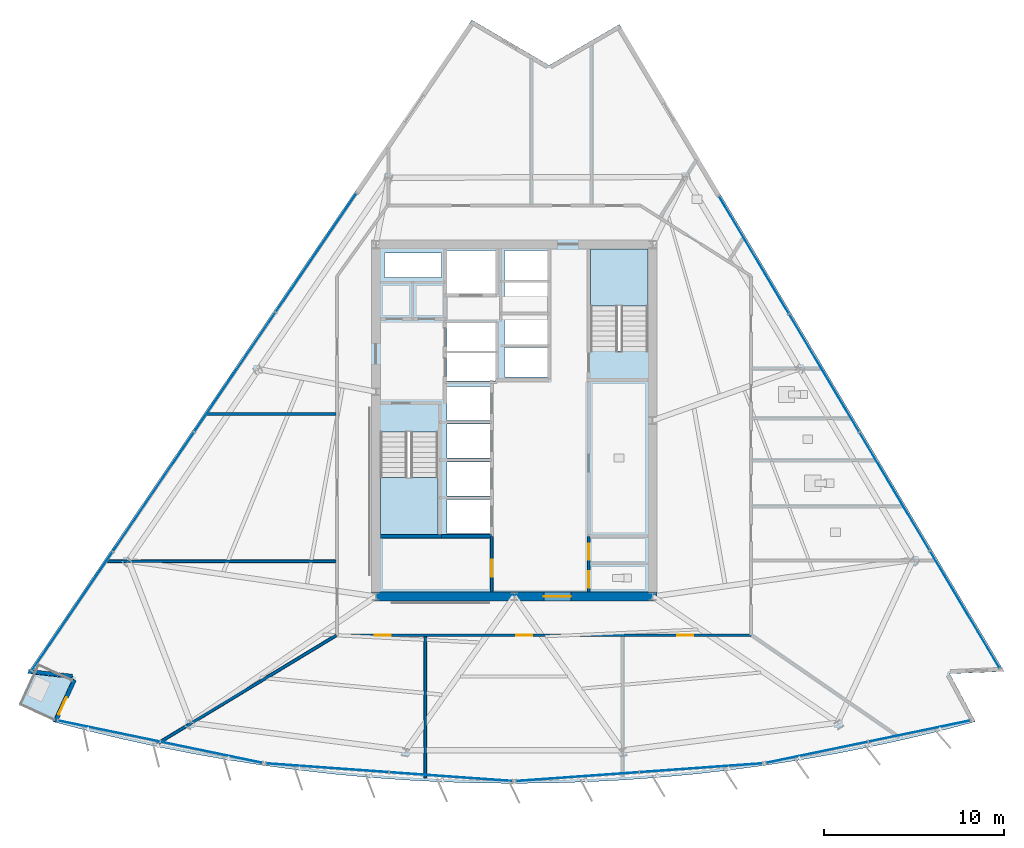
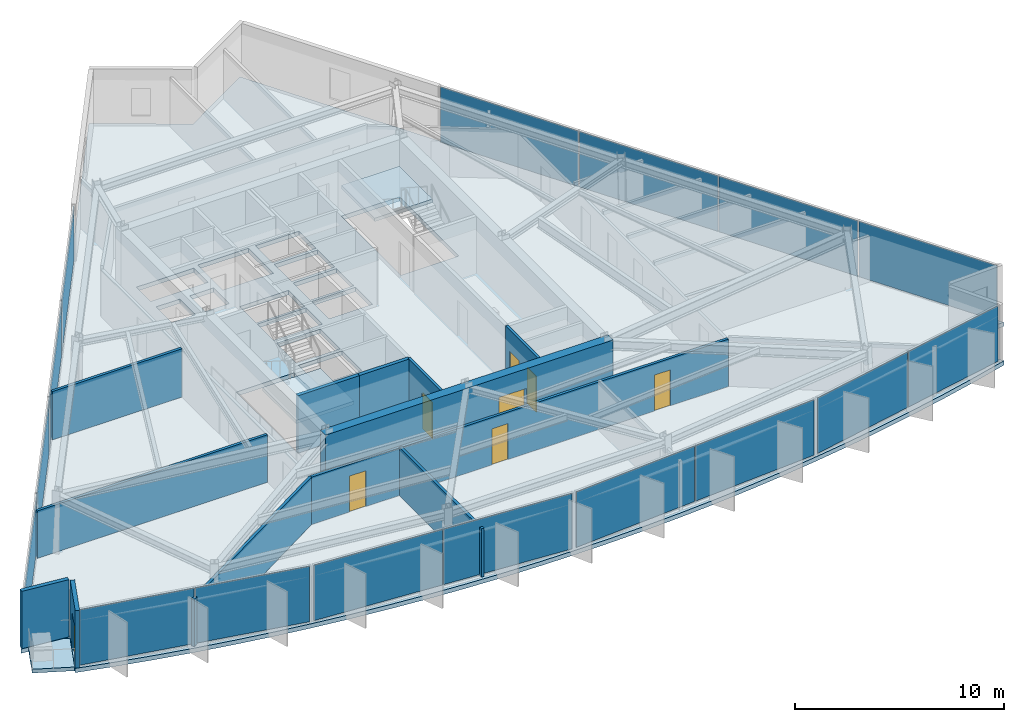
# One storey, part 7 of 15: 16 plates, 12 walls, 8 doors, 4 slabs, 8 openings, 8 elements without a shape of their own.
"""IFC4 building model written with IfcOpenShell, lengths in metres."""

from ifc_helpers import new_model, si_unit, direction, frame, frame_2d, origin, origin_2d, place, context, subcontext, project, spatial, polyline, rectangle, outline, extrude, material, layer, layer_set, type_object, element, fill, aggregate, save


model = new_model("IFC4")

# Units and contexts
model_context = context("Model", 3, precision=1e-05, world=origin(), true_north=direction((0.0, 1.0)))
body_context = subcontext(model_context, "Body", "Model", "MODEL_VIEW")
ifc_project = project(units=[si_unit("LENGTHUNIT", "METRE"), si_unit("AREAUNIT", "SQUARE_METRE"), si_unit("VOLUMEUNIT", "CUBIC_METRE"), si_unit("PLANEANGLEUNIT", "RADIAN"), si_unit("MASSUNIT", "GRAM", prefix="KILO")], contexts=[model_context])

# Site, building, storey
site_placement = place(None, origin())
site = spatial("IfcSite", under=ifc_project, at=site_placement, CompositionType="ELEMENT")
building_placement = place(site_placement, origin())
building = spatial("IfcBuilding", under=site, at=building_placement, Name="Savorim Split Tower", CompositionType="ELEMENT")
storey_placement = place(building_placement, frame((0.0, 0.0, 142.199951171875)))
storey = spatial("IfcBuildingStorey", under=building, at=storey_placement, Name="L37", CompositionType="ELEMENT", Elevation=142.199951171875)

# Curtain wall, plates
ifc_material_1 = material(Name="Dark Ceramic-Fritted Insulated Glass", Category="glass")
curtain_wall_type = type_object("IfcCurtainWallType", Name="CW-TWR-FRIT-A", PredefinedType="NOTDEFINED", material=ifc_material_1)
curtain_wall_1_placement = place(storey_placement, origin())
curtain_wall_1 = element("IfcCurtainWall", 1, at=curtain_wall_1_placement, inside=storey, type_object=curtain_wall_type, Name="L37 Curtain Wall CW-L37-SF1", PredefinedType="NOTDEFINED")
ifc_layer_1 = layer(ifc_material_1, 0.028076171875)
ifc_layer_set_1 = layer_set([ifc_layer_1], Name="CWP-FRITA-28")
plate_type = type_object("IfcPlateType", Name="CWP-FRITA-28", PredefinedType="CURTAIN_PANEL", material=ifc_layer_set_1)
plate_1_placement = place(storey_placement, frame((-22.55322265625, -16.891357421875, 0.05517578125), z_axis=(0.0, 0.0, 1.0), x_axis=(0.979135184824, -0.203209964912, 0.0)))
plate_1 = element("IfcPlate", 2, at=plate_1_placement, type_object=plate_type, Name="CW-02 panel 1.1", PredefinedType="CURTAIN_PANEL", context=body_context, shape_type="SweptSolid", body=[
    extrude(rectangle(XDim=5.75390625, YDim=0.028076171875, at=origin_2d()), origin(), (0.0, 0.0, 1.0), 3.239990234375),
])
plate_2_placement = place(storey_placement, frame((-16.85595703125, -18.073974609375, 0.05517578125), z_axis=(0.0, 0.0, 1.0), x_axis=(0.979135184824, -0.203209964912, 0.0)))
plate_2 = element("IfcPlate", 3, at=plate_2_placement, type_object=plate_type, Name="CW-02 panel 2.1", PredefinedType="CURTAIN_PANEL", context=body_context, shape_type="SweptSolid", body=[
    extrude(rectangle(XDim=5.75390625, YDim=0.028076171875, at=origin_2d()), origin(), (0.0, 0.0, 1.0), 3.239990234375),
])
aggregate(curtain_wall_1, [plate_1, plate_2])

curtain_wall_2_placement = place(storey_placement, origin())
curtain_wall_2 = element("IfcCurtainWall", 4, at=curtain_wall_2_placement, inside=storey, type_object=curtain_wall_type, Name="L37 Curtain Wall CW-L37-SF2", PredefinedType="NOTDEFINED")
plate_3_placement = place(storey_placement, frame((-10.40087890625, -18.93505859375, 0.05517578125), z_axis=(0.0, 0.0, 1.0), x_axis=(0.997436231017, -0.071560918492, 0.0)))
plate_3 = element("IfcPlate", 5, at=plate_3_placement, type_object=plate_type, Name="CW-02 panel 1.1", PredefinedType="CURTAIN_PANEL", context=body_context, shape_type="SweptSolid", body=[
    extrude(rectangle(XDim=6.830810546875, YDim=0.028076171875, at=origin_2d()), origin(), (0.0, 0.0, 1.0), 3.239990234375),
])
plate_4_placement = place(storey_placement, frame((-3.522705078125, -19.428466796875, 0.05517578125), z_axis=(0.0, 0.0, 1.0), x_axis=(0.997436231017, -0.071560918492, 0.0)))
plate_4 = element("IfcPlate", 6, at=plate_4_placement, type_object=plate_type, Name="CW-02 panel 2.1", PredefinedType="CURTAIN_PANEL", context=body_context, shape_type="SweptSolid", body=[
    extrude(rectangle(XDim=6.830810546875, YDim=0.028076171875, at=origin_2d()), origin(), (0.0, 0.0, 1.0), 3.239990234375),
])
aggregate(curtain_wall_2, [plate_3, plate_4])

curtain_wall_3_placement = place(storey_placement, origin())
curtain_wall_3 = element("IfcCurtainWall", 7, at=curtain_wall_3_placement, inside=storey, type_object=curtain_wall_type, Name="L37 Curtain Wall CW-L37-SF3", PredefinedType="NOTDEFINED")
plate_5_placement = place(storey_placement, frame((3.522705078125, -19.428466796875, 0.05517578125), z_axis=(0.0, 0.0, 1.0), x_axis=(0.997436231017, 0.071560918492, 0.0)))
plate_5 = element("IfcPlate", 8, at=plate_5_placement, type_object=plate_type, Name="CW-02 panel 1.1", PredefinedType="CURTAIN_PANEL", context=body_context, shape_type="SweptSolid", body=[
    extrude(rectangle(XDim=6.830810546875, YDim=0.028076171875, at=origin_2d()), origin(), (0.0, 0.0, 1.0), 3.239990234375),
])
plate_6_placement = place(storey_placement, frame((10.40087890625, -18.93505859375, 0.05517578125), z_axis=(0.0, 0.0, 1.0), x_axis=(0.997436231017, 0.071560918492, 0.0)))
plate_6 = element("IfcPlate", 9, at=plate_6_placement, type_object=plate_type, Name="CW-02 panel 2.1", PredefinedType="CURTAIN_PANEL", context=body_context, shape_type="SweptSolid", body=[
    extrude(rectangle(XDim=6.830810546875, YDim=0.028076171875, at=origin_2d()), origin(), (0.0, 0.0, 1.0), 3.239990234375),
])
aggregate(curtain_wall_3, [plate_5, plate_6])

curtain_wall_4_placement = place(storey_placement, origin())
curtain_wall_4 = element("IfcCurtainWall", 10, at=curtain_wall_4_placement, inside=storey, type_object=curtain_wall_type, Name="L37 Curtain Wall CW-L37-SF4", PredefinedType="NOTDEFINED")
plate_7_placement = place(storey_placement, frame((16.85595703125, -18.073974609375, 0.05517578125), z_axis=(0.0, 0.0, 1.0), x_axis=(0.979135184824, 0.203209964912, 0.0)))
plate_7 = element("IfcPlate", 11, at=plate_7_placement, type_object=plate_type, Name="CW-02 panel 1.1", PredefinedType="CURTAIN_PANEL", context=body_context, shape_type="SweptSolid", body=[
    extrude(rectangle(XDim=5.75390625, YDim=0.028076171875, at=origin_2d()), origin(), (0.0, 0.0, 1.0), 3.239990234375),
])
plate_8_placement = place(storey_placement, frame((22.55322265625, -16.891357421875, 0.05517578125), z_axis=(0.0, 0.0, 1.0), x_axis=(0.979135184824, 0.203209964912, 0.0)))
plate_8 = element("IfcPlate", 12, at=plate_8_placement, type_object=plate_type, Name="CW-02 panel 2.1", PredefinedType="CURTAIN_PANEL", context=body_context, shape_type="SweptSolid", body=[
    extrude(rectangle(XDim=5.75390625, YDim=0.028076171875, at=origin_2d()), origin(), (0.0, 0.0, 1.0), 3.239990234375),
])
aggregate(curtain_wall_4, [plate_7, plate_8])

curtain_wall_5_placement = place(storey_placement, origin())
curtain_wall_5 = element("IfcCurtainWall", 13, at=curtain_wall_5_placement, inside=storey, type_object=curtain_wall_type, Name="L37 Curtain Wall CW-L37-EAST", PredefinedType="NOTDEFINED")
plate_9_placement = place(storey_placement, frame((25.0810546875, -10.131591796875, 0.05517578125), z_axis=(0.0, 0.0, 1.0), x_axis=(-0.511091470039, 0.859526328423, 0.0)))
plate_9 = element("IfcPlate", 14, at=plate_9_placement, type_object=plate_type, Name="CW-02 panel 1.1", PredefinedType="CURTAIN_PANEL", context=body_context, shape_type="SweptSolid", body=[
    extrude(rectangle(XDim=7.57177734375, YDim=0.028076171875, at=origin_2d()), origin(), (0.0, 0.0, 1.0), 3.239990234375),
])
plate_10_placement = place(storey_placement, frame((21.169677734375, -3.553466796875, 0.05517578125), z_axis=(0.0, 0.0, 1.0), x_axis=(-0.511091470039, 0.859526328423, 0.0)))
plate_10 = element("IfcPlate", 15, at=plate_10_placement, type_object=plate_type, Name="CW-02 panel 2.1", PredefinedType="CURTAIN_PANEL", context=body_context, shape_type="SweptSolid", body=[
    extrude(rectangle(XDim=7.604248046875, YDim=0.028076171875, at=origin_2d()), origin(), (0.0, 0.0, 1.0), 3.239990234375),
])
plate_11_placement = place(storey_placement, frame((17.25, 3.038330078125, 0.05517578125), z_axis=(0.0, 0.0, 1.0), x_axis=(-0.511091470039, 0.859526328423, 0.0)))
plate_11 = element("IfcPlate", 16, at=plate_11_placement, type_object=plate_type, Name="CW-02 panel 3.1", PredefinedType="CURTAIN_PANEL", context=body_context, shape_type="SweptSolid", body=[
    extrude(rectangle(XDim=7.604248046875, YDim=0.028076171875, at=origin_2d()), origin(), (0.0, 0.0, 1.0), 3.239990234375),
])
plate_12_placement = place(storey_placement, frame((13.338623046875, 9.6162109375, 0.05517578125), z_axis=(0.0, 0.0, 1.0), x_axis=(-0.511091470039, 0.859526328423, 0.0)))
plate_12 = element("IfcPlate", 17, at=plate_12_placement, type_object=plate_type, Name="CW-02 panel 4.1", PredefinedType="CURTAIN_PANEL", context=body_context, shape_type="SweptSolid", body=[
    extrude(rectangle(XDim=7.57177734375, YDim=0.028076171875, at=origin_2d()), origin(), (0.0, 0.0, 1.0), 3.239990234375),
])
aggregate(curtain_wall_5, [plate_9, plate_10, plate_11, plate_12])

curtain_wall_6_placement = place(storey_placement, origin())
curtain_wall_6 = element("IfcCurtainWall", 18, at=curtain_wall_6_placement, inside=storey, type_object=curtain_wall_type, Name="L37 Curtain Wall CW-L37-WEST", PredefinedType="NOTDEFINED")
plate_13_placement = place(storey_placement, frame((-11.025146484375, 9.7373046875, 0.05517578125), z_axis=(0.0, 0.0, 1.0), x_axis=(-0.562466456356, -0.826820104662, 0.0)))
plate_13 = element("IfcPlate", 19, at=plate_13_placement, type_object=plate_type, Name="CW-02 panel 1.1", PredefinedType="CURTAIN_PANEL", context=body_context, shape_type="SweptSolid", body=[
    extrude(rectangle(XDim=7.9580078125, YDim=0.028076171875, at=origin_2d()), origin(), (0.0, 0.0, 1.0), 3.239990234375),
])
plate_14_placement = place(storey_placement, frame((-15.547119140625, 3.090087890625, 0.05517578125), z_axis=(0.0, 0.0, 1.0), x_axis=(-0.562466456356, -0.826820104662, 0.0)))
plate_14 = element("IfcPlate", 20, at=plate_14_placement, type_object=plate_type, Name="CW-02 panel 2.1", PredefinedType="CURTAIN_PANEL", context=body_context, shape_type="SweptSolid", body=[
    extrude(rectangle(XDim=7.990478515625, YDim=0.028076171875, at=origin_2d()), origin(), (0.0, 0.0, 1.0), 3.239990234375),
])
plate_15_placement = place(storey_placement, frame((-20.077880859375, -3.5703125, 0.05517578125), z_axis=(0.0, 0.0, 1.0), x_axis=(-0.562466456356, -0.826820104662, 0.0)))
plate_15 = element("IfcPlate", 21, at=plate_15_placement, type_object=plate_type, Name="CW-02 panel 3.1", PredefinedType="CURTAIN_PANEL", context=body_context, shape_type="SweptSolid", body=[
    extrude(rectangle(XDim=7.990478515625, YDim=0.028076171875, at=origin_2d()), origin(), (0.0, 0.0, 1.0), 3.239990234375),
])
plate_16_placement = place(storey_placement, frame((-24.599853515625, -10.217529296875, 0.05517578125), z_axis=(0.0, 0.0, 1.0), x_axis=(-0.562466456356, -0.826820104662, 0.0)))
plate_16 = element("IfcPlate", 22, at=plate_16_placement, type_object=plate_type, Name="CW-02 panel 4.1", PredefinedType="CURTAIN_PANEL", context=body_context, shape_type="SweptSolid", body=[
    extrude(rectangle(XDim=7.9580078125, YDim=0.028076171875, at=origin_2d()), origin(), (0.0, 0.0, 1.0), 3.239990234375),
])
aggregate(curtain_wall_6, [plate_13, plate_14, plate_15, plate_16])

# Slab
ifc_material_2 = material(Name="Concrete C50/60", Category="concrete")
ifc_layer_2 = layer(ifc_material_2, 0.219970703125)
ifc_layer_set_2 = layer_set([ifc_layer_2], Name="SLB-BAL-220")
slab_type_1 = type_object("IfcSlabType", Name="SLB-BAL-220", PredefinedType="FLOOR", material=ifc_layer_set_2)
slab_1_placement = place(storey_placement, frame((0.0, 0.0, -0.219970703125)))
element("IfcSlab", 23, at=slab_1_placement, inside=storey, type_object=slab_type_1, Name="L37 Notched Corner Planted Tree Balcony Slab", PredefinedType="FLOOR", context=body_context, shape_type="SweptSolid", body=[
    extrude(outline(polyline([(-25.628173828125, -16.25537109375), (-24.62158203125, -14.06494140625), (-24.93212890625, -13.92236328125), (-26.71533203125, -13.723388671875), (-27.486328125, -15.401611328125), (-25.628173828125, -16.25537109375)])), origin(), (0.0, 0.0, 1.0), 0.219970703125),
])

# Stair, slab
stair_type = type_object("IfcStairType", Name="STR-DOG-3600", PredefinedType="HALF_TURN_STAIR", material=ifc_material_2)
stair_1_placement = place(storey_placement, origin())
stair_1 = element("IfcStair", 24, at=stair_1_placement, inside=storey, type_object=stair_type, Name="L37 Core Protected Exit Stair ST-1", PredefinedType="HALF_TURN_STAIR")
ifc_layer_3 = layer(ifc_material_2, 0.199951171875)
ifc_layer_set_3 = layer_set([ifc_layer_3], Name="SLB-LND-200")
slab_type_2 = type_object("IfcSlabType", Name="SLB-LND-200", PredefinedType="LANDING", material=ifc_layer_set_3)
slab_2_placement = place(storey_placement, frame((0.0, 0.0, 1.60009765625)))
slab_2 = element("IfcSlab", 25, at=slab_2_placement, type_object=slab_type_2, Name="ST-1 landing 1", PredefinedType="LANDING", context=body_context, shape_type="SweptSolid", body=[
    extrude(outline(polyline([(-7.449951171875, -2.77001953125), (-7.449951171875, -5.949951171875), (-4.25, -5.949951171875), (-4.25, -2.77001953125), (-7.449951171875, -2.77001953125)])), origin(), (0.0, 0.0, 1.0), 0.199951171875),
])
aggregate(stair_1, [slab_2])

stair_2_placement = place(storey_placement, origin())
stair_2 = element("IfcStair", 26, at=stair_2_placement, inside=storey, type_object=stair_type, Name="L37 Core Protected Exit Stair ST-2", PredefinedType="HALF_TURN_STAIR")
slab_3_placement = place(storey_placement, frame((0.0, 0.0, 1.60009765625)))
slab_3 = element("IfcSlab", 27, at=slab_3_placement, type_object=slab_type_2, Name="ST-2 landing 1", PredefinedType="LANDING", context=body_context, shape_type="SweptSolid", body=[
    extrude(outline(polyline([(7.449951171875, 6.77001953125), (7.449951171875, 9.949951171875), (4.25, 9.949951171875), (4.25, 6.77001953125), (7.449951171875, 6.77001953125)])), origin(), (0.0, 0.0, 1.0), 0.199951171875),
])
aggregate(stair_2, [slab_3])

# Slab
ifc_layer_4 = layer(ifc_material_2, 0.25)
ifc_layer_set_4 = layer_set([ifc_layer_4], Name="SLB-TWR-250")
slab_type_3 = type_object("IfcSlabType", Name="SLB-TWR-250", PredefinedType="FLOOR", material=ifc_layer_set_4)
slab_4_placement = place(storey_placement, frame((0.0, 0.0, -0.25)))
element("IfcSlab", 28, at=slab_4_placement, inside=storey, type_object=slab_type_3, Name="L37 Structural Floor Slab", PredefinedType="FLOOR", context=body_context, shape_type="SweptSolid", body=[
    extrude(outline(polyline([(-25.673583984375, -16.366455078125), (-23.740234375, -16.8720703125), (-21.797119140625, -17.337890625), (-19.844482421875, -17.763916015625), (-17.8837890625, -18.150146484375), (-15.915771484375, -18.495849609375), (-13.94091796875, -18.801513671875), (-11.960205078125, -19.06640625), (-9.974609375, -19.291015625), (-7.984619140625, -19.474609375), (-5.991455078125, -19.61767578125), (-3.99560546875, -19.7197265625), (-1.998291015625, -19.78125), (0.0, -19.801513671875), (1.998291015625, -19.78125), (3.99560546875, -19.7197265625), (5.991455078125, -19.61767578125), (7.984619140625, -19.474609375), (9.974609375, -19.291015625), (11.960205078125, -19.06640625), (13.94091796875, -18.801513671875), (15.915771484375, -18.495849609375), (17.8837890625, -18.150146484375), (19.844482421875, -17.763916015625), (21.797119140625, -17.337890625), (23.740234375, -16.8720703125), (25.673583984375, -16.366455078125), (24.24169921875, -13.69775390625), (27.2646484375, -13.569091796875), (5.852294921875, 22.44091796875), (1.943603515625, 20.162841796875), (-2.358154296875, 22.69091796875), (-27.097412109375, -13.675537109375), (-24.567138671875, -13.9580078125), (-25.673583984375, -16.366455078125)]), holes=[polyline([(-7.449951171875, -0.25390625), (-7.449951171875, -5.949951171875), (-4.25, -5.949951171875), (-4.25, -0.25390625), (-7.449951171875, -0.25390625)]), polyline([(7.449951171875, 4.25390625), (7.449951171875, 9.949951171875), (4.25, 9.949951171875), (4.25, 4.25390625), (7.449951171875, 4.25390625)]), polyline([(-3.75, -5.89990234375), (-1.35009765625, -5.89990234375), (-1.35009765625, -4.0), (-3.75, -4.0), (-3.75, -5.89990234375)]), polyline([(-3.75, -3.800048828125), (-1.35009765625, -3.800048828125), (-1.35009765625, -1.89990234375), (-3.75, -1.89990234375), (-3.75, -3.800048828125)]), polyline([(-3.75, -1.699951171875), (-1.35009765625, -1.699951171875), (-1.35009765625, 0.199951171875), (-3.75, 0.199951171875), (-3.75, -1.699951171875)]), polyline([(-3.75, 0.39990234375), (-1.35009765625, 0.39990234375), (-1.35009765625, 2.300048828125), (-3.75, 2.300048828125), (-3.75, 0.39990234375)]), polyline([(-0.550048828125, 2.830078125), (1.85009765625, 2.830078125), (1.85009765625, 4.469970703125), (-0.550048828125, 4.469970703125), (-0.550048828125, 2.830078125)]), polyline([(-0.550048828125, 4.6298828125), (1.85009765625, 4.6298828125), (1.85009765625, 6.27001953125), (-0.550048828125, 6.27001953125), (-0.550048828125, 4.6298828125)]), polyline([(-0.550048828125, 6.429931640625), (1.85009765625, 6.429931640625), (1.85009765625, 8.070068359375), (-0.550048828125, 8.070068359375), (-0.550048828125, 6.429931640625)]), polyline([(-0.550048828125, 8.22998046875), (1.85009765625, 8.22998046875), (1.85009765625, 9.8701171875), (-0.550048828125, 9.8701171875), (-0.550048828125, 8.22998046875)]), polyline([(-3.75, 2.60009765625), (-1.050048828125, 2.60009765625), (-1.050048828125, 4.159912109375), (-3.75, 4.159912109375), (-3.75, 2.60009765625)]), polyline([(-3.75, 4.280029296875), (-1.050048828125, 4.280029296875), (-1.050048828125, 5.840087890625), (-3.75, 5.840087890625), (-3.75, 4.280029296875)]), polyline([(-3.75, 7.449951171875), (-0.949951171875, 7.449951171875), (-0.949951171875, 9.85009765625), (-3.75, 9.85009765625), (-3.75, 7.449951171875)]), polyline([(-7.219970703125, 6.320068359375), (-5.919921875, 6.320068359375), (-5.919921875, 7.820068359375), (-7.219970703125, 7.820068359375), (-7.219970703125, 6.320068359375)]), polyline([(-5.3798828125, 6.320068359375), (-4.050048828125, 6.320068359375), (-4.050048828125, 7.820068359375), (-5.3798828125, 7.820068359375), (-5.3798828125, 6.320068359375)]), polyline([(-7.219970703125, 8.360107421875), (-4.050048828125, 8.360107421875), (-4.050048828125, 9.719970703125), (-7.219970703125, 9.719970703125), (-7.219970703125, 8.360107421875)])]), origin(), (0.0, 0.0, 1.0), 0.25),
])

# Wall, opening, door
ifc_material_3 = material(Name="Concrete C60/75", Category="concrete")
ifc_layer_5 = layer(ifc_material_3, 0.5)
ifc_layer_set_5 = layer_set([ifc_layer_5], Name="WAL-COR-SH500")
wall_type_1 = type_object("IfcWallType", Name="WAL-COR-SH500", PredefinedType="SHEAR", material=ifc_layer_set_5)
wall_1_placement = place(storey_placement, frame((-7.949951171875, -9.39990234375, 0.0), z_axis=(0.0, 0.0, 1.0), x_axis=(1.0, 0.0, 0.0)))
wall_1 = element("IfcWall", 29, at=wall_1_placement, inside=storey, type_object=wall_type_1, Name="L37 Offset Core South Shear Wall", PredefinedType="SHEAR", context=body_context, shape_type="SweptSolid", body=[
    extrude(rectangle(XDim=15.89990234375, YDim=0.5, at=frame_2d((7.949951171875, 0.0))), origin(), (0.0, 0.0, 1.0), 3.35009765625),
])
opening_1_placement = place(wall_1_placement, frame((9.60009765625, 0.0, 0.0)))
opening_1 = element("IfcOpeningElement", 30, at=opening_1_placement, cuts=wall_1, Name="Opening DI-02", PredefinedType="OPENING", context=body_context, shape_type="SweptSolid", body=[
    extrude(rectangle(XDim=1.5, YDim=2.199951171875, at=frame_2d((0.75, 1.10009765625))), frame((0.0, 0.260009765625, 0.0), z_axis=(0.0, -1.0, 0.0), x_axis=(1.0, 0.0, 0.0)), (0.0, 0.0, 1.0), 0.52001953125),
])
ifc_material_4 = material(Name="Timber Fire Door Leaf", Category="wood")
door_type_1 = type_object("IfcDoorType", Name="DOR-DBL-1500", OperationType="NOTDEFINED", PredefinedType="DOOR", material=ifc_material_4)
door_1_placement = place(opening_1_placement, origin())
door_1 = element("IfcDoor", 31, at=door_1_placement, inside=storey, type_object=door_type_1, Name="DOR-L37-COR-LLOB - L37 Lift Lobby Main Rated Door", OperationType="DOUBLE_DOOR_SINGLE_SWING", OverallHeight=2.199951171875, OverallWidth=1.5, PredefinedType="DOOR", context=body_context, shape_type="SweptSolid", body=[
    extrude(rectangle(XDim=1.5, YDim=2.199951171875, at=frame_2d((0.75, 1.10009765625))), frame((0.0, 0.02490234375, 0.0), z_axis=(0.0, -1.0, 0.0), x_axis=(1.0, 0.0, 0.0)), (0.0, 0.0, 1.0), 0.050048828125),
])
fill(opening_1, door_1)

# Wall
ifc_material_5 = material(Name="Precast concrete C40/50", Category="concrete")
ifc_layer_6 = layer(ifc_material_5, 0.219970703125)
ifc_layer_set_6 = layer_set([ifc_layer_6], Name="WAL-EXT-CRN220")
wall_type_2 = type_object("IfcWallType", Name="WAL-EXT-CRN220", PredefinedType="SOLIDWALL", material=ifc_layer_set_6)
wall_2_placement = place(storey_placement, frame((-24.593505859375, -13.83447265625, 0.0), z_axis=(0.0, 0.0, 1.0), x_axis=(-0.993823222634, 0.110974781609, 0.0)))
element("IfcWall", 32, at=wall_2_placement, inside=storey, type_object=wall_type_2, Name="L37 Notched Corner Facade Wall SW1", PredefinedType="SOLIDWALL", context=body_context, shape_type="SweptSolid", body=[
    extrude(rectangle(XDim=2.466064453125, YDim=0.219970703125, at=frame_2d((1.23291015625, 0.0))), origin(), (0.0, 0.0, 1.0), 3.35009765625),
])

# Wall, opening, door
wall_3_placement = place(storey_placement, frame((-25.5478515625, -16.380126953125, 0.0), z_axis=(0.0, 0.0, 1.0), x_axis=(0.417449299542, 0.908700215864, 0.0)))
wall_3 = element("IfcWall", 33, at=wall_3_placement, inside=storey, type_object=wall_type_2, Name="L37 Notched Corner Facade Wall SW", PredefinedType="SOLIDWALL", context=body_context, shape_type="SweptSolid", body=[
    extrude(rectangle(XDim=2.5703125, YDim=0.219970703125, at=frame_2d((1.28515625, 0.0))), origin(), (0.0, 0.0, 1.0), 3.35009765625),
])
opening_2_placement = place(wall_3_placement, frame((0.460205078125, 0.0, 0.0)))
opening_2 = element("IfcOpeningElement", 34, at=opening_2_placement, cuts=wall_3, Name="Opening DB-01", PredefinedType="OPENING", context=body_context, shape_type="SweptSolid", body=[
    extrude(rectangle(XDim=1.050048828125, YDim=2.14990234375, at=frame_2d((0.52490234375, 1.074951171875))), frame((0.0, 0.119873046875, 0.0), z_axis=(0.0, -1.0, 0.0), x_axis=(1.0, 0.0, 0.0)), (0.0, 0.0, 1.0), 0.239990234375),
])
ifc_material_6 = material(Name="Charcoal Anodised Aluminium", Category="aluminium")
door_type_2 = type_object("IfcDoorType", Name="DOR-BAL-1050", OperationType="NOTDEFINED", PredefinedType="DOOR", material=ifc_material_6)
door_2_placement = place(opening_2_placement, origin())
door_2 = element("IfcDoor", 35, at=door_2_placement, inside=storey, type_object=door_type_2, Name="DOR-L37-TBAL-SW - L37 Planted Tree Balcony Door SW", OperationType="SINGLE_SWING_RIGHT", OverallHeight=2.14990234375, OverallWidth=1.050048828125, PredefinedType="DOOR", context=body_context, shape_type="SweptSolid", body=[
    extrude(rectangle(XDim=1.050048828125, YDim=2.14990234375, at=frame_2d((0.52490234375, 1.074951171875))), frame((0.0, 0.02490234375, 0.0), z_axis=(0.0, -1.0, 0.0), x_axis=(1.0, 0.0, 0.0)), (0.0, 0.0, 1.0), 0.050048828125),
])
fill(opening_2, door_2)

# Walls
ifc_layer_7 = layer(ifc_material_2, 0.199951171875)
ifc_layer_set_7 = layer_set([ifc_layer_7], Name="WAL-INT-RC200")
wall_type_3 = type_object("IfcWallType", Name="WAL-INT-RC200", PredefinedType="SOLIDWALL", material=ifc_layer_set_7)
wall_4_placement = place(storey_placement, frame((-7.449951171875, -6.050048828125, 0.0), z_axis=(0.0, 0.0, 1.0), x_axis=(1.0, 0.0, 0.0)))
element("IfcWall", 36, at=wall_4_placement, inside=storey, type_object=wall_type_3, Name="L37 Structural Shaft Wall W-L37-KSEP-W", PredefinedType="SOLIDWALL", context=body_context, shape_type="SweptSolid", body=[
    extrude(rectangle(XDim=3.39990234375, YDim=0.199951171875, at=frame_2d((1.699951171875, 0.0))), origin(), (0.0, 0.0, 1.0), 3.35009765625),
])
wall_5_placement = place(storey_placement, frame((-4.0400390625, -6.050048828125, 0.0), z_axis=(0.0, 0.0, 1.0), x_axis=(1.0, 0.0, 0.0)))
element("IfcWall", 37, at=wall_5_placement, inside=storey, type_object=wall_type_3, Name="L37 Partition W-L37-KSEP-W2", PredefinedType="SOLIDWALL", context=body_context, shape_type="SweptSolid", body=[
    extrude(rectangle(XDim=2.7900390625, YDim=0.199951171875, at=frame_2d((1.39501953125, 0.0))), origin(), (0.0, 0.0, 1.0), 3.35009765625),
])

# Wall, opening, door
ifc_material_7 = material(Name="Acoustic Gypsum Partition Board")
ifc_layer_8 = layer(ifc_material_7, 0.14990234375)
ifc_layer_set_8 = layer_set([ifc_layer_8], Name="WAL-PAR-150")
wall_type_4 = type_object("IfcWallType", Name="WAL-PAR-150", PredefinedType="PARTITIONING", material=ifc_layer_set_8)
wall_6_placement = place(storey_placement, frame((-1.25, -9.14501953125, 0.0), z_axis=(0.0, 0.0, 1.0), x_axis=(0.0, 1.0, 0.0)))
wall_6 = element("IfcWall", 38, at=wall_6_placement, inside=storey, type_object=wall_type_4, Name="L37 Partition W-L37-KLOB-W", PredefinedType="PARTITIONING", context=body_context, shape_type="SweptSolid", body=[
    extrude(rectangle(XDim=3.094970703125, YDim=0.14990234375, at=frame_2d((1.54736328125, 0.0))), origin(), (0.0, 0.0, 1.0), 3.35009765625),
])
opening_3_placement = place(wall_6_placement, frame((0.844970703125, 0.0, 0.0)))
opening_3 = element("IfcOpeningElement", 39, at=opening_3_placement, cuts=wall_6, Name="Opening DI-05", PredefinedType="OPENING", context=body_context, shape_type="SweptSolid", body=[
    extrude(rectangle(XDim=0.949951171875, YDim=2.10009765625, at=frame_2d((0.47509765625, 1.050048828125))), frame((0.0, 0.0849609375, 0.0), z_axis=(0.0, -1.0, 0.0), x_axis=(1.0, 0.0, 0.0)), (0.0, 0.0, 1.0), 0.169921875),
])
door_type_3 = type_object("IfcDoorType", Name="DOR-FIR-950", OperationType="NOTDEFINED", PredefinedType="DOOR", material=ifc_material_4)
door_3_placement = place(opening_3_placement, origin())
door_3 = element("IfcDoor", 40, at=door_3_placement, inside=storey, type_object=door_type_3, Name="DR-L37-K3LIN - L37 Housekeeping Store Door", OperationType="SINGLE_SWING_LEFT", OverallHeight=2.10009765625, OverallWidth=0.949951171875, PredefinedType="DOOR", context=body_context, shape_type="SweptSolid", body=[
    extrude(rectangle(XDim=0.949951171875, YDim=2.10009765625, at=frame_2d((0.47509765625, 1.050048828125))), frame((0.0, 0.02490234375, 0.0), z_axis=(0.0, -1.0, 0.0), x_axis=(1.0, 0.0, 0.0)), (0.0, 0.0, 1.0), 0.050048828125),
])
fill(opening_3, door_3)

# Wall, openings, doors
wall_7_placement = place(storey_placement, frame((4.14990234375, -9.14501953125, 0.0), z_axis=(0.0, 0.0, 1.0), x_axis=(0.0, 1.0, 0.0)))
wall_7 = element("IfcWall", 41, at=wall_7_placement, inside=storey, type_object=wall_type_4, Name="L37 Partition W-L37-KLOB-E", PredefinedType="PARTITIONING", context=body_context, shape_type="SweptSolid", body=[
    extrude(rectangle(XDim=3.094970703125, YDim=0.14990234375, at=frame_2d((1.54736328125, 0.0))), origin(), (0.0, 0.0, 1.0), 3.35009765625),
])
opening_4_placement = place(wall_7_placement, frame((0.2451171875, 0.0, 0.0)))
opening_4 = element("IfcOpeningElement", 42, at=opening_4_placement, cuts=wall_7, Name="Opening DI-11", PredefinedType="OPENING", context=body_context, shape_type="SweptSolid", body=[
    extrude(rectangle(XDim=0.89990234375, YDim=2.10009765625, at=frame_2d((0.449951171875, 1.050048828125))), frame((0.0, 0.0849609375, 0.0), z_axis=(0.0, -1.0, 0.0), x_axis=(1.0, 0.0, 0.0)), (0.0, 0.0, 1.0), 0.169921875),
])
opening_5_placement = place(wall_7_placement, frame((1.794921875, 0.0, 0.0)))
opening_5 = element("IfcOpeningElement", 43, at=opening_5_placement, cuts=wall_7, Name="Opening DI-06", PredefinedType="OPENING", context=body_context, shape_type="SweptSolid", body=[
    extrude(rectangle(XDim=0.89990234375, YDim=2.10009765625, at=frame_2d((0.449951171875, 1.050048828125))), frame((0.0, 0.0849609375, 0.0), z_axis=(0.0, -1.0, 0.0), x_axis=(1.0, 0.0, 0.0)), (0.0, 0.0, 1.0), 0.169921875),
])
door_type_4 = type_object("IfcDoorType", Name="DOR-FIR-900", OperationType="NOTDEFINED", PredefinedType="DOOR", material=ifc_material_4)
door_4_placement = place(opening_5_placement, origin())
door_4 = element("IfcDoor", 44, at=door_4_placement, inside=storey, type_object=door_type_4, Name="DR-L37-K3LCK - L37 Cleaning Store Door", OperationType="SINGLE_SWING_LEFT", OverallHeight=2.10009765625, OverallWidth=0.89990234375, PredefinedType="DOOR", context=body_context, shape_type="SweptSolid", body=[
    extrude(rectangle(XDim=0.89990234375, YDim=2.10009765625, at=frame_2d((0.449951171875, 1.050048828125))), frame((0.0, 0.02490234375, 0.0), z_axis=(0.0, -1.0, 0.0), x_axis=(1.0, 0.0, 0.0)), (0.0, 0.0, 1.0), 0.050048828125),
])
fill(opening_5, door_4)
ifc_material_8 = material(Name="Oak Veneer Acoustic Door")
door_type_5 = type_object("IfcDoorType", Name="DOR-WC-900", OperationType="NOTDEFINED", PredefinedType="DOOR", material=ifc_material_8)
door_5_placement = place(opening_4_placement, origin())
door_5 = element("IfcDoor", 45, at=door_5_placement, inside=storey, type_object=door_type_5, Name="DR-L37-K3AWC - L37 Core Accessible WC Door", OperationType="SINGLE_SWING_RIGHT", OverallHeight=2.10009765625, OverallWidth=0.89990234375, PredefinedType="DOOR", context=body_context, shape_type="SweptSolid", body=[
    extrude(rectangle(XDim=0.89990234375, YDim=2.10009765625, at=frame_2d((0.449951171875, 1.050048828125))), frame((0.0, 0.02490234375, 0.0), z_axis=(0.0, -1.0, 0.0), x_axis=(1.0, 0.0, 0.0)), (0.0, 0.0, 1.0), 0.050048828125),
])
fill(opening_4, door_5)

wall_8_placement = place(storey_placement, frame((13.179931640625, -11.56005859375, 0.0), z_axis=(0.0, 0.0, 1.0), x_axis=(-1.0, 0.0, 0.0)))
wall_8 = element("IfcWall", 46, at=wall_8_placement, inside=storey, type_object=wall_type_4, Name="L37 Partition W-L37-COR-06", PredefinedType="PARTITIONING", context=body_context, shape_type="SweptSolid", body=[
    extrude(rectangle(XDim=23.0400390625, YDim=0.14990234375, at=frame_2d((11.52001953125, 0.0))), origin(), (0.0, 0.0, 1.0), 2.775146484375),
])
opening_6_placement = place(wall_8_placement, frame((20.04248046875, 0.0, 0.0)))
opening_6 = element("IfcOpeningElement", 47, at=opening_6_placement, cuts=wall_8, Name="Opening DI-06", PredefinedType="OPENING", context=body_context, shape_type="SweptSolid", body=[
    extrude(rectangle(XDim=0.89990234375, YDim=2.10009765625, at=frame_2d((0.449951171875, 1.050048828125))), frame((0.0, 0.0849609375, 0.0), z_axis=(0.0, -1.0, 0.0), x_axis=(1.0, 0.0, 0.0)), (0.0, 0.0, 1.0), 0.169921875),
])
opening_7_placement = place(wall_8_placement, frame((12.177978515625, 0.0, 0.0)))
opening_7 = element("IfcOpeningElement", 48, at=opening_7_placement, cuts=wall_8, Name="Opening DI-06", PredefinedType="OPENING", context=body_context, shape_type="SweptSolid", body=[
    extrude(rectangle(XDim=0.89990234375, YDim=2.10009765625, at=frame_2d((0.449951171875, 1.050048828125))), frame((0.0, 0.0849609375, 0.0), z_axis=(0.0, -1.0, 0.0), x_axis=(1.0, 0.0, 0.0)), (0.0, 0.0, 1.0), 0.169921875),
])
opening_8_placement = place(wall_8_placement, frame((3.205078125, 0.0, 0.0)))
opening_8 = element("IfcOpeningElement", 49, at=opening_8_placement, cuts=wall_8, Name="Opening DI-06", PredefinedType="OPENING", context=body_context, shape_type="SweptSolid", body=[
    extrude(rectangle(XDim=0.89990234375, YDim=2.10009765625, at=frame_2d((0.449951171875, 1.050048828125))), frame((0.0, 0.0849609375, 0.0), z_axis=(0.0, -1.0, 0.0), x_axis=(1.0, 0.0, 0.0)), (0.0, 0.0, 1.0), 0.169921875),
])
door_6_placement = place(opening_6_placement, origin())
door_6 = element("IfcDoor", 50, at=door_6_placement, inside=storey, type_object=door_type_4, Name="DR-L37-RM03 - L37 Co-Working Commons Entry Door", OperationType="SINGLE_SWING_RIGHT", OverallHeight=2.10009765625, OverallWidth=0.89990234375, PredefinedType="DOOR", context=body_context, shape_type="SweptSolid", body=[
    extrude(rectangle(XDim=0.89990234375, YDim=2.10009765625, at=frame_2d((0.449951171875, 1.050048828125))), frame((0.0, 0.02490234375, 0.0), z_axis=(0.0, -1.0, 0.0), x_axis=(1.0, 0.0, 0.0)), (0.0, 0.0, 1.0), 0.050048828125),
])
fill(opening_6, door_6)
door_7_placement = place(opening_7_placement, origin())
door_7 = element("IfcDoor", 51, at=door_7_placement, inside=storey, type_object=door_type_4, Name="DR-L37-RM04 - L37 Maker Workshop Entry Door", OperationType="SINGLE_SWING_LEFT", OverallHeight=2.10009765625, OverallWidth=0.89990234375, PredefinedType="DOOR", context=body_context, shape_type="SweptSolid", body=[
    extrude(rectangle(XDim=0.89990234375, YDim=2.10009765625, at=frame_2d((0.449951171875, 1.050048828125))), frame((0.0, 0.02490234375, 0.0), z_axis=(0.0, -1.0, 0.0), x_axis=(1.0, 0.0, 0.0)), (0.0, 0.0, 1.0), 0.050048828125),
])
fill(opening_7, door_7)
door_8_placement = place(opening_8_placement, origin())
door_8 = element("IfcDoor", 52, at=door_8_placement, inside=storey, type_object=door_type_4, Name="DR-L37-RM05 - L37 Co-Working Commons Entry Door", OperationType="SINGLE_SWING_RIGHT", OverallHeight=2.10009765625, OverallWidth=0.89990234375, PredefinedType="DOOR", context=body_context, shape_type="SweptSolid", body=[
    extrude(rectangle(XDim=0.89990234375, YDim=2.10009765625, at=frame_2d((0.449951171875, 1.050048828125))), frame((0.0, 0.02490234375, 0.0), z_axis=(0.0, -1.0, 0.0), x_axis=(1.0, 0.0, 0.0)), (0.0, 0.0, 1.0), 0.050048828125),
])
fill(opening_8, door_8)

# Walls
wall_9_placement = place(storey_placement, frame((-9.89599609375, -11.5576171875, 0.0), z_axis=(0.0, 0.0, 1.0), x_axis=(-0.855495923948, -0.517809544243, 0.0)))
element("IfcWall", 53, at=wall_9_placement, inside=storey, type_object=wall_type_4, Name="L37 Partition W-L37-PRAD01", PredefinedType="PARTITIONING", context=body_context, shape_type="SweptSolid", body=[
    extrude(rectangle(XDim=11.644287109375, YDim=0.14990234375, at=frame_2d((5.822265625, 0.0))), origin(), (0.0, 0.0, 1.0), 2.775146484375),
])
wall_10_placement = place(storey_placement, frame((-9.919921875, -7.44189453125, 0.0), z_axis=(0.0, 0.0, 1.0), x_axis=(-1.0, 0.0, 0.0)))
element("IfcWall", 54, at=wall_10_placement, inside=storey, type_object=wall_type_4, Name="L37 Partition W-L37-PRAD10", PredefinedType="PARTITIONING", context=body_context, shape_type="SweptSolid", body=[
    extrude(rectangle(XDim=12.731201171875, YDim=0.14990234375, at=frame_2d((6.36572265625, 0.0))), origin(), (0.0, 0.0, 1.0), 2.775146484375),
])
wall_11_placement = place(storey_placement, frame((-9.919921875, 0.760498046875, 0.0), z_axis=(0.0, 0.0, 1.0), x_axis=(-1.0, 0.0, 0.0)))
element("IfcWall", 55, at=wall_11_placement, inside=storey, type_object=wall_type_4, Name="L37 Partition W-L37-SUB04", PredefinedType="PARTITIONING", context=body_context, shape_type="SweptSolid", body=[
    extrude(rectangle(XDim=7.1513671875, YDim=0.14990234375, at=frame_2d((3.57568359375, 0.0))), origin(), (0.0, 0.0, 1.0), 2.824951171875),
])
wall_12_placement = place(storey_placement, frame((-4.943603515625, -11.6201171875, 0.0), z_axis=(0.0, 0.0, 1.0), x_axis=(0.0, -1.0, 0.0)))
element("IfcWall", 56, at=wall_12_placement, inside=storey, type_object=wall_type_4, Name="L37 Partition W-L37-SUB05", PredefinedType="PARTITIONING", context=body_context, shape_type="SweptSolid", body=[
    extrude(rectangle(XDim=7.880859375, YDim=0.14990234375, at=frame_2d((3.9404296875, 0.0))), origin(), (0.0, 0.0, 1.0), 2.824951171875),
])

save(model, "model.ifc")
